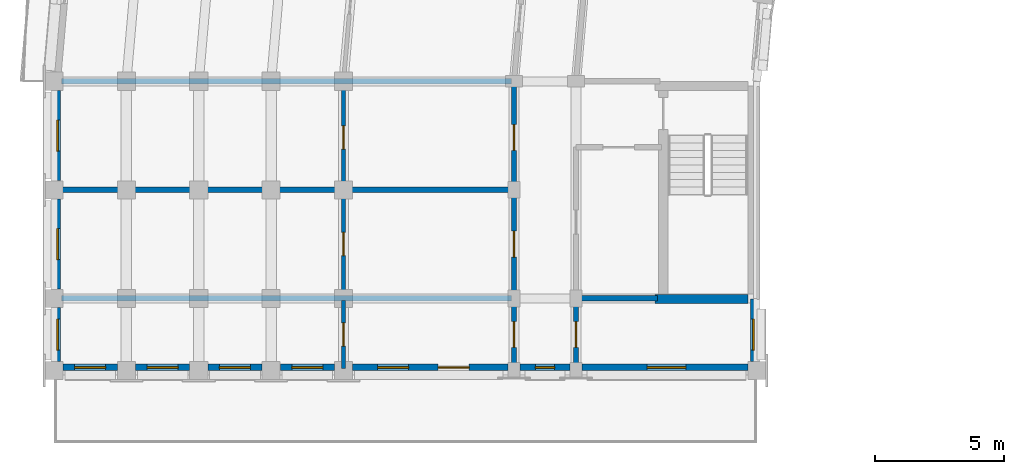
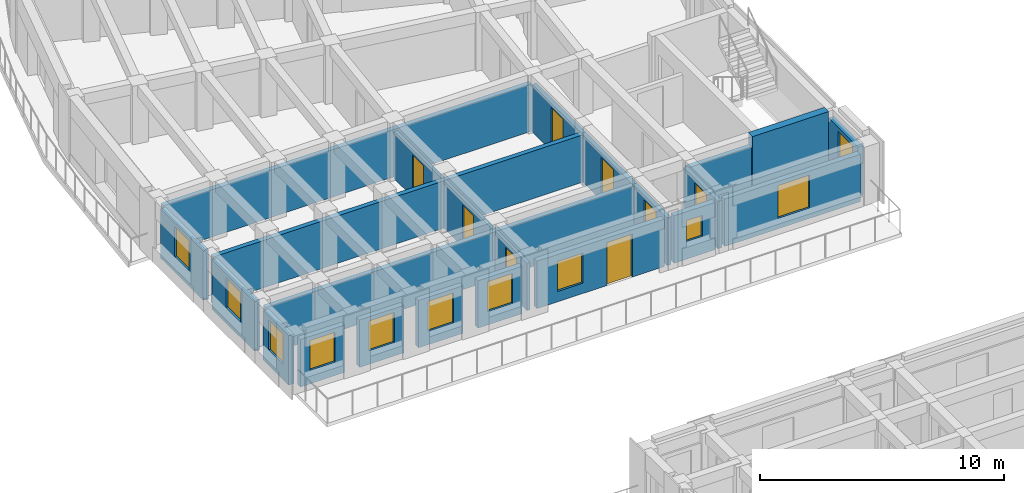
# One storey, part 23 of 54: 23 walls, 11 windows, 8 doors, 19 openings.
"""IFC4 building model written with IfcOpenShell, lengths in metres."""

from ifc_helpers import new_model, si_unit, direction, frame, frame_2d, origin, place, context, subcontext, project, spatial, rectangle, extrude, material, layer, layer_set, type_object, element, fill, save


model = new_model("IFC4")

# Units and contexts
model_context = context("Model", 3, precision=1e-05, world=origin(), true_north=direction((0.0, 1.0)))
body_context = subcontext(model_context, "Body", "Model", "MODEL_VIEW")
ifc_project = project(units=[si_unit("LENGTHUNIT", "METRE"), si_unit("AREAUNIT", "SQUARE_METRE"), si_unit("VOLUMEUNIT", "CUBIC_METRE"), si_unit("PLANEANGLEUNIT", "RADIAN"), si_unit("MASSUNIT", "GRAM", prefix="KILO")], contexts=[model_context])

# Site, building, storey
site_placement = place(None, origin())
site = spatial("IfcSite", under=ifc_project, at=site_placement, CompositionType="ELEMENT")
building_placement = place(site_placement, origin())
building = spatial("IfcBuilding", under=site, at=building_placement, Name="Kiranvali Square Residences", CompositionType="ELEMENT")
storey_placement = place(building_placement, frame((0.0, 0.0, 27.60009765625)))
storey = spatial("IfcBuildingStorey", under=building, at=storey_placement, Name="L08", CompositionType="ELEMENT", Elevation=27.60009765625)

# Wall, opening, door
ifc_material_1 = material(Name="Autoclaved aerated concrete blockwork masonry", Category="masonry")
ifc_layer_1 = layer(ifc_material_1, 0.199951171875)
ifc_layer_set_1 = layer_set([ifc_layer_1], Name="Autoclaved aerated concrete blockwork masonry")
wall_type_1 = type_object("IfcWallType", Name="WL-COR-200", PredefinedType="STANDARD", material=ifc_layer_set_1)
wall_1_placement = place(storey_placement, frame((20.0, 87.64990234375, 0.0), z_axis=(0.0, 0.0, 1.0), x_axis=(0.0, -1.0, 0.0)))
wall_1 = element("IfcWall", 1, at=wall_1_placement, inside=storey, type_object=wall_type_1, Name="L08 architectural wall WL-L08-A-A2CF-C0", PredefinedType="STANDARD", context=body_context, shape_type="SweptSolid", body=[
    extrude(rectangle(XDim=4.0498046875, YDim=0.199951171875, at=frame_2d((2.02490234375, 0.0))), origin(), (0.0, 0.0, 1.0), 2.371826171875),
])
opening_1_placement = place(wall_1_placement, frame((1.52490234375, 0.0, 0.0)))
opening_1 = element("IfcOpeningElement", 2, at=opening_1_placement, cuts=wall_1, Name="Opening FD-APT-60", PredefinedType="OPENING", context=body_context, shape_type="SweptSolid", body=[
    extrude(rectangle(XDim=1.0, YDim=2.14990234375, at=frame_2d((0.5, 1.074951171875))), frame((0.0, 0.10986328125, 0.0), z_axis=(0.0, -1.0, 0.0), x_axis=(1.0, 0.0, 0.0)), (0.0, 0.0, 1.0), 0.219970703125),
])
ifc_material_2 = material(Name="Fire-rated acoustic hardwood and mineral-core door assembly", Category="wood")
door_type_1 = type_object("IfcDoorType", Name="DR-APT-1000", OperationType="NOTDEFINED", PredefinedType="DOOR", material=ifc_material_2)
door_1_placement = place(opening_1_placement, origin())
door_1 = element("IfcDoor", 3, at=door_1_placement, inside=storey, type_object=door_type_1, Name="L08 door DR-L08-0561 (DR-APT-1000)", OperationType="SINGLE_SWING_LEFT", OverallHeight=2.14990234375, OverallWidth=1.0, PredefinedType="DOOR", context=body_context, shape_type="SweptSolid", body=[
    extrude(rectangle(XDim=1.0, YDim=2.14990234375, at=frame_2d((0.5, 1.074951171875))), frame((0.0, 0.02490234375, 0.0), z_axis=(0.0, -1.0, 0.0), x_axis=(1.0, 0.0, 0.0)), (0.0, 0.0, 1.0), 0.050048828125),
])
fill(opening_1, door_1)

wall_2_placement = place(storey_placement, frame((20.0, 83.60009765625, 0.0), z_axis=(0.0, 0.0, 1.0), x_axis=(0.0, -1.0, 0.0)))
wall_2 = element("IfcWall", 4, at=wall_2_placement, inside=storey, type_object=wall_type_1, Name="L08 architectural wall WL-L08-A-A2CF-C1", PredefinedType="STANDARD", context=body_context, shape_type="SweptSolid", body=[
    extrude(rectangle(XDim=4.2001953125, YDim=0.199951171875, at=frame_2d((2.10009765625, 0.0))), origin(), (0.0, 0.0, 1.0), 2.371826171875),
])
opening_2_placement = place(wall_2_placement, frame((1.60009765625, 0.0, 0.0)))
opening_2 = element("IfcOpeningElement", 5, at=opening_2_placement, cuts=wall_2, Name="Opening FD-APT-60", PredefinedType="OPENING", context=body_context, shape_type="SweptSolid", body=[
    extrude(rectangle(XDim=1.0, YDim=2.14990234375, at=frame_2d((0.5, 1.074951171875))), frame((0.0, 0.10986328125, 0.0), z_axis=(0.0, -1.0, 0.0), x_axis=(1.0, 0.0, 0.0)), (0.0, 0.0, 1.0), 0.219970703125),
])
door_2_placement = place(opening_2_placement, origin())
door_2 = element("IfcDoor", 6, at=door_2_placement, inside=storey, type_object=door_type_1, Name="L08 door DR-L08-0563 (DR-APT-1000)", OperationType="SINGLE_SWING_LEFT", OverallHeight=2.14990234375, OverallWidth=1.0, PredefinedType="DOOR", context=body_context, shape_type="SweptSolid", body=[
    extrude(rectangle(XDim=1.0, YDim=2.14990234375, at=frame_2d((0.5, 1.074951171875))), frame((0.0, 0.02490234375, 0.0), z_axis=(0.0, -1.0, 0.0), x_axis=(1.0, 0.0, 0.0)), (0.0, 0.0, 1.0), 0.050048828125),
])
fill(opening_2, door_2)

wall_3_placement = place(storey_placement, frame((22.39990234375, 79.39990234375, 0.0), z_axis=(0.0, 0.0, 1.0), x_axis=(0.0, -1.0, 0.0)))
wall_3 = element("IfcWall", 7, at=wall_3_placement, inside=storey, type_object=wall_type_1, Name="L08 architectural wall WL-L08-A-A2CI-0", PredefinedType="STANDARD", context=body_context, shape_type="SweptSolid", body=[
    extrude(rectangle(XDim=2.7998046875, YDim=0.199951171875, at=frame_2d((1.39990234375, 0.0))), origin(), (0.0, 0.0, 1.0), 2.371826171875),
])
opening_3_placement = place(wall_3_placement, frame((0.89990234375, 0.0, 0.0)))
opening_3 = element("IfcOpeningElement", 8, at=opening_3_placement, cuts=wall_3, Name="Opening FD-APT-60", PredefinedType="OPENING", context=body_context, shape_type="SweptSolid", body=[
    extrude(rectangle(XDim=1.0, YDim=2.14990234375, at=frame_2d((0.5, 1.074951171875))), frame((0.0, 0.10986328125, 0.0), z_axis=(0.0, -1.0, 0.0), x_axis=(1.0, 0.0, 0.0)), (0.0, 0.0, 1.0), 0.219970703125),
])
door_3_placement = place(opening_3_placement, origin())
door_3 = element("IfcDoor", 9, at=door_3_placement, inside=storey, type_object=door_type_1, Name="L08 door DR-L08-0565 (DR-APT-1000)", OperationType="SINGLE_SWING_LEFT", OverallHeight=2.14990234375, OverallWidth=1.0, PredefinedType="DOOR", context=body_context, shape_type="SweptSolid", body=[
    extrude(rectangle(XDim=1.0, YDim=2.14990234375, at=frame_2d((0.5, 1.074951171875))), frame((0.0, 0.02490234375, 0.0), z_axis=(0.0, -1.0, 0.0), x_axis=(1.0, 0.0, 0.0)), (0.0, 0.0, 1.0), 0.050048828125),
])
fill(opening_3, door_3)

wall_4_placement = place(storey_placement, frame((20.0, 79.39990234375, 0.0), z_axis=(0.0, 0.0, 1.0), x_axis=(0.0, -1.0, 0.0)))
wall_4 = element("IfcWall", 10, at=wall_4_placement, inside=storey, type_object=wall_type_1, Name="L08 architectural wall WL-L08-A-A2CO-0", PredefinedType="STANDARD", context=body_context, shape_type="SweptSolid", body=[
    extrude(rectangle(XDim=2.7998046875, YDim=0.199951171875, at=frame_2d((1.39990234375, 0.0))), origin(), (0.0, 0.0, 1.0), 2.371826171875),
])
opening_4_placement = place(wall_4_placement, frame((0.89990234375, 0.0, 0.0)))
opening_4 = element("IfcOpeningElement", 11, at=opening_4_placement, cuts=wall_4, Name="Opening FD-APT-60", PredefinedType="OPENING", context=body_context, shape_type="SweptSolid", body=[
    extrude(rectangle(XDim=1.0, YDim=2.14990234375, at=frame_2d((0.5, 1.074951171875))), frame((0.0, 0.10986328125, 0.0), z_axis=(0.0, -1.0, 0.0), x_axis=(1.0, 0.0, 0.0)), (0.0, 0.0, 1.0), 0.219970703125),
])
door_4_placement = place(opening_4_placement, origin())
door_4 = element("IfcDoor", 12, at=door_4_placement, inside=storey, type_object=door_type_1, Name="L08 door DR-L08-0567 (DR-APT-1000)", OperationType="SINGLE_SWING_LEFT", OverallHeight=2.14990234375, OverallWidth=1.0, PredefinedType="DOOR", context=body_context, shape_type="SweptSolid", body=[
    extrude(rectangle(XDim=1.0, YDim=2.14990234375, at=frame_2d((0.5, 1.074951171875))), frame((0.0, 0.02490234375, 0.0), z_axis=(0.0, -1.0, 0.0), x_axis=(1.0, 0.0, 0.0)), (0.0, 0.0, 1.0), 0.050048828125),
])
fill(opening_4, door_4)

# Walls
ifc_layer_2 = layer(ifc_material_1, 0.219970703125)
ifc_layer_set_2 = layer_set([ifc_layer_2], Name="Autoclaved aerated concrete blockwork masonry")
wall_type_2 = type_object("IfcWallType", Name="WL-DEM-220", PredefinedType="STANDARD", material=ifc_layer_set_2)
wall_5_placement = place(storey_placement, frame((19.89990234375, 87.800048828125, 0.0), z_axis=(0.0, 0.0, 1.0), x_axis=(-1.0, 0.0, 0.0)))
element("IfcWall", 13, at=wall_5_placement, inside=storey, type_object=wall_type_2, Name="L08 architectural wall WL-L08-A-RADO-9", PredefinedType="STANDARD", context=body_context, shape_type="SweptSolid", body=[
    extrude(rectangle(XDim=17.419921875, YDim=0.219970703125, at=frame_2d((8.7099609375, 0.0))), origin(), (0.0, 0.0, 1.0), 2.371826171875),
])
wall_6_placement = place(storey_placement, frame((19.949951171875, 83.60009765625, 0.0), z_axis=(0.0, 0.0, 1.0), x_axis=(-1.0, 0.0, 0.0)))
element("IfcWall", 14, at=wall_6_placement, inside=storey, type_object=wall_type_2, Name="L08 architectural wall WL-L08-A-A2CF-MID", PredefinedType="STANDARD", context=body_context, shape_type="SweptSolid", body=[
    extrude(rectangle(XDim=17.530029296875, YDim=0.219970703125, at=frame_2d((8.76513671875, 0.0))), origin(), (0.0, 0.0, 1.0), 2.371826171875),
])
wall_7_placement = place(storey_placement, frame((25.550048828125, 79.39990234375, 0.0), z_axis=(0.0, 0.0, 1.0), x_axis=(-1.0, 0.0, 0.0)))
element("IfcWall", 15, at=wall_7_placement, inside=storey, type_object=wall_type_2, Name="L08 architectural wall WL-L08-A-A2TI-0", PredefinedType="STANDARD", context=body_context, shape_type="SweptSolid", body=[
    extrude(rectangle(XDim=3.10009765625, YDim=0.219970703125, at=frame_2d((1.550048828125, 0.0))), origin(), (0.0, 0.0, 1.0), 2.371826171875),
])
wall_8_placement = place(storey_placement, frame((19.89990234375, 79.39990234375, 0.0), z_axis=(0.0, 0.0, 1.0), x_axis=(-1.0, 0.0, 0.0)))
element("IfcWall", 16, at=wall_8_placement, inside=storey, type_object=wall_type_2, Name="L08 architectural wall WL-L08-A-A2TO-0", PredefinedType="STANDARD", context=body_context, shape_type="SweptSolid", body=[
    extrude(rectangle(XDim=17.419921875, YDim=0.219970703125, at=frame_2d((8.7099609375, 0.0))), origin(), (0.0, 0.0, 1.0), 2.371826171875),
])

# Wall, opening, window
ifc_material_3 = material(Name="Breathable lime-rendered clay brick masonry", Category="masonry")
ifc_layer_3 = layer(ifc_material_3, 0.25)
ifc_layer_set_3 = layer_set([ifc_layer_3], Name="Breathable lime-rendered clay brick masonry")
wall_type_3 = type_object("IfcWallType", Name="WL-EXT-250", PredefinedType="STANDARD", material=ifc_layer_set_3)
wall_9_placement = place(storey_placement, frame((2.324951171875, 87.446533203125, 0.0), z_axis=(0.0, 0.0, 1.0), x_axis=(0.0, -1.0, 0.0)))
wall_9 = element("IfcWall", 17, at=wall_9_placement, inside=storey, type_object=wall_type_3, Name="L08 exterior wall A-L08-A2O-0", PredefinedType="STANDARD", context=body_context, shape_type="SweptSolid", body=[
    extrude(rectangle(XDim=3.492919921875, YDim=0.25, at=frame_2d((1.74658203125, 0.0))), origin(), (0.0, 0.0, 1.0), 2.471923828125),
])
opening_5_placement = place(wall_9_placement, frame((1.146484375, 0.0, 0.77197265625)))
opening_5 = element("IfcOpeningElement", 18, at=opening_5_placement, cuts=wall_9, Name="Opening W-06", PredefinedType="OPENING", context=body_context, shape_type="SweptSolid", body=[
    extrude(rectangle(XDim=1.199951171875, YDim=1.5, at=frame_2d((0.60009765625, 0.75))), frame((0.0, 0.135009765625, 0.0), z_axis=(0.0, -1.0, 0.0), x_axis=(1.0, 0.0, 0.0)), (0.0, 0.0, 1.0), 0.27001953125),
])
ifc_material_4 = material(Name="Solar-control low-e double glazing", Category="glass")
window_type_1 = type_object("IfcWindowType", Name="WIN-RES-1200x1500", PartitioningType="SINGLE_PANEL", PredefinedType="WINDOW", material=ifc_material_4)
window_1_placement = place(opening_5_placement, origin())
window_1 = element("IfcWindow", 19, at=window_1_placement, inside=storey, type_object=window_type_1, Name="L08 recessed window A-L08-A2O-0", OverallHeight=1.5, OverallWidth=1.199951171875, PartitioningType="SINGLE_PANEL", PredefinedType="WINDOW", context=body_context, shape_type="SweptSolid", body=[
    extrude(rectangle(XDim=1.199951171875, YDim=1.5, at=frame_2d((0.60009765625, 0.75))), frame((0.0, 0.030029296875, 0.0), z_axis=(0.0, -1.0, 0.0), x_axis=(1.0, 0.0, 0.0)), (0.0, 0.0, 1.0), 0.06005859375),
])
fill(opening_5, window_1)

wall_10_placement = place(storey_placement, frame((2.324951171875, 83.24658203125, 0.0), z_axis=(0.0, 0.0, 1.0), x_axis=(0.0, -1.0, 0.0)))
wall_10 = element("IfcWall", 20, at=wall_10_placement, inside=storey, type_object=wall_type_3, Name="L08 exterior wall A-L08-A2O-1", PredefinedType="STANDARD", context=body_context, shape_type="SweptSolid", body=[
    extrude(rectangle(XDim=3.4931640625, YDim=0.25, at=frame_2d((1.74658203125, 0.0))), origin(), (0.0, 0.0, 1.0), 2.471923828125),
])
opening_6_placement = place(wall_10_placement, frame((1.146484375, 0.0, 0.77197265625)))
opening_6 = element("IfcOpeningElement", 21, at=opening_6_placement, cuts=wall_10, Name="Opening W-06", PredefinedType="OPENING", context=body_context, shape_type="SweptSolid", body=[
    extrude(rectangle(XDim=1.199951171875, YDim=1.5, at=frame_2d((0.60009765625, 0.75))), frame((0.0, 0.135009765625, 0.0), z_axis=(0.0, -1.0, 0.0), x_axis=(1.0, 0.0, 0.0)), (0.0, 0.0, 1.0), 0.27001953125),
])
window_2_placement = place(opening_6_placement, origin())
window_2 = element("IfcWindow", 22, at=window_2_placement, inside=storey, type_object=window_type_1, Name="L08 recessed window A-L08-A2O-1", OverallHeight=1.5, OverallWidth=1.199951171875, PartitioningType="SINGLE_PANEL", PredefinedType="WINDOW", context=body_context, shape_type="SweptSolid", body=[
    extrude(rectangle(XDim=1.199951171875, YDim=1.5, at=frame_2d((0.60009765625, 0.75))), frame((0.0, 0.030029296875, 0.0), z_axis=(0.0, -1.0, 0.0), x_axis=(1.0, 0.0, 0.0)), (0.0, 0.0, 1.0), 0.06005859375),
])
fill(opening_6, window_2)

wall_11_placement = place(storey_placement, frame((2.324951171875, 79.04638671875, 0.0), z_axis=(0.0, 0.0, 1.0), x_axis=(0.0, -1.0, 0.0)))
wall_11 = element("IfcWall", 23, at=wall_11_placement, inside=storey, type_object=wall_type_3, Name="L08 exterior wall A-L08-A2O-2", PredefinedType="STANDARD", context=body_context, shape_type="SweptSolid", body=[
    extrude(rectangle(XDim=2.0927734375, YDim=0.25, at=frame_2d((1.04638671875, 0.0))), origin(), (0.0, 0.0, 1.0), 2.471923828125),
])
opening_7_placement = place(wall_11_placement, frame((0.446533203125, 0.0, 0.77197265625)))
opening_7 = element("IfcOpeningElement", 24, at=opening_7_placement, cuts=wall_11, Name="Opening W-06", PredefinedType="OPENING", context=body_context, shape_type="SweptSolid", body=[
    extrude(rectangle(XDim=1.199951171875, YDim=1.5, at=frame_2d((0.60009765625, 0.75))), frame((0.0, 0.135009765625, 0.0), z_axis=(0.0, -1.0, 0.0), x_axis=(1.0, 0.0, 0.0)), (0.0, 0.0, 1.0), 0.27001953125),
])
window_3_placement = place(opening_7_placement, origin())
window_3 = element("IfcWindow", 25, at=window_3_placement, inside=storey, type_object=window_type_1, Name="L08 recessed window A-L08-A2O-2", OverallHeight=1.5, OverallWidth=1.199951171875, PartitioningType="SINGLE_PANEL", PredefinedType="WINDOW", context=body_context, shape_type="SweptSolid", body=[
    extrude(rectangle(XDim=1.199951171875, YDim=1.5, at=frame_2d((0.60009765625, 0.75))), frame((0.0, 0.030029296875, 0.0), z_axis=(0.0, -1.0, 0.0), x_axis=(1.0, 0.0, 0.0)), (0.0, 0.0, 1.0), 0.06005859375),
])
fill(opening_7, window_3)

wall_12_placement = place(storey_placement, frame((29.27490234375, 79.37158203125, 0.0), z_axis=(0.0, 0.0, 1.0), x_axis=(0.0, -1.0, 0.0)))
wall_12 = element("IfcWall", 26, at=wall_12_placement, inside=storey, type_object=wall_type_3, Name="L08 exterior wall A-L08-A2I-0", PredefinedType="STANDARD", context=body_context, shape_type="SweptSolid", body=[
    extrude(rectangle(XDim=2.41796875, YDim=0.25, at=frame_2d((1.208984375, 0.0))), origin(), (0.0, 0.0, 1.0), 2.471923828125),
])
opening_8_placement = place(wall_12_placement, frame((0.771484375, 0.0, 0.77197265625)))
opening_8 = element("IfcOpeningElement", 27, at=opening_8_placement, cuts=wall_12, Name="Opening W-06", PredefinedType="OPENING", context=body_context, shape_type="SweptSolid", body=[
    extrude(rectangle(XDim=1.199951171875, YDim=1.5, at=frame_2d((0.60009765625, 0.75))), frame((0.0, 0.135009765625, 0.0), z_axis=(0.0, -1.0, 0.0), x_axis=(1.0, 0.0, 0.0)), (0.0, 0.0, 1.0), 0.27001953125),
])
window_4_placement = place(opening_8_placement, origin())
window_4 = element("IfcWindow", 28, at=window_4_placement, inside=storey, type_object=window_type_1, Name="L08 recessed window A-L08-A2I-0", OverallHeight=1.5, OverallWidth=1.199951171875, PartitioningType="SINGLE_PANEL", PredefinedType="WINDOW", context=body_context, shape_type="SweptSolid", body=[
    extrude(rectangle(XDim=1.199951171875, YDim=1.5, at=frame_2d((0.60009765625, 0.75))), frame((0.0, 0.030029296875, 0.0), z_axis=(0.0, -1.0, 0.0), x_axis=(1.0, 0.0, 0.0)), (0.0, 0.0, 1.0), 0.06005859375),
])
fill(opening_8, window_4)

wall_13_placement = place(storey_placement, frame((29.04638671875, 76.72509765625, 0.0), z_axis=(0.0, 0.0, 1.0), x_axis=(-1.0, 0.0, 0.0)))
wall_13 = element("IfcWall", 29, at=wall_13_placement, inside=storey, type_object=wall_type_3, Name="L08 exterior wall A-L08-A2END-0", PredefinedType="STANDARD", context=body_context, shape_type="SweptSolid", body=[
    extrude(rectangle(XDim=6.41796875, YDim=0.25, at=frame_2d((3.208984375, 0.0))), origin(), (0.0, 0.0, 1.0), 2.371826171875),
])
opening_9_placement = place(wall_13_placement, frame((2.396484375, 0.0, 0.52197265625)))
opening_9 = element("IfcOpeningElement", 30, at=opening_9_placement, cuts=wall_13, Name="Opening W-05", PredefinedType="OPENING", context=body_context, shape_type="SweptSolid", body=[
    extrude(rectangle(XDim=1.5, YDim=1.64990234375, at=frame_2d((0.75, 0.824951171875))), frame((0.0, 0.135009765625, 0.0), z_axis=(0.0, -1.0, 0.0), x_axis=(1.0, 0.0, 0.0)), (0.0, 0.0, 1.0), 0.27001953125),
])
window_type_2 = type_object("IfcWindowType", Name="WIN-RES-1500x1650", PartitioningType="DOUBLE_PANEL_VERTICAL", PredefinedType="WINDOW", material=ifc_material_4)
window_5_placement = place(opening_9_placement, origin())
window_5 = element("IfcWindow", 31, at=window_5_placement, inside=storey, type_object=window_type_2, Name="L08 recessed window A-L08-A2END-0", OverallHeight=1.64990234375, OverallWidth=1.5, PartitioningType="DOUBLE_PANEL_VERTICAL", PredefinedType="WINDOW", context=body_context, shape_type="SweptSolid", body=[
    extrude(rectangle(XDim=1.5, YDim=1.64990234375, at=frame_2d((0.75, 0.824951171875))), frame((0.0, 0.030029296875, 0.0), z_axis=(0.0, -1.0, 0.0), x_axis=(1.0, 0.0, 0.0)), (0.0, 0.0, 1.0), 0.06005859375),
])
fill(opening_9, window_5)

wall_14_placement = place(storey_placement, frame((22.17138671875, 76.72509765625, 0.0), z_axis=(0.0, 0.0, 1.0), x_axis=(-1.0, 0.0, 0.0)))
wall_14 = element("IfcWall", 32, at=wall_14_placement, inside=storey, type_object=wall_type_3, Name="L08 exterior wall A-L08-A2END-1", PredefinedType="STANDARD", context=body_context, shape_type="SweptSolid", body=[
    extrude(rectangle(XDim=1.94287109375, YDim=0.25, at=frame_2d((0.971435546875, 0.0))), origin(), (0.0, 0.0, 1.0), 2.371826171875),
])
opening_10_placement = place(wall_14_placement, frame((0.596435546875, 0.0, 0.8798828125)))
opening_10 = element("IfcOpeningElement", 33, at=opening_10_placement, cuts=wall_14, Name="Opening W-07", PredefinedType="OPENING", context=body_context, shape_type="SweptSolid", body=[
    extrude(rectangle(XDim=0.75, YDim=1.050048828125, at=frame_2d((0.375, 0.52490234375))), frame((0.0, 0.135009765625, 0.0), z_axis=(0.0, -1.0, 0.0), x_axis=(1.0, 0.0, 0.0)), (0.0, 0.0, 1.0), 0.27001953125),
])
window_type_3 = type_object("IfcWindowType", Name="WIN-WET-750x1050", PartitioningType="SINGLE_PANEL", PredefinedType="WINDOW", material=ifc_material_4)
window_6_placement = place(opening_10_placement, origin())
window_6 = element("IfcWindow", 34, at=window_6_placement, inside=storey, type_object=window_type_3, Name="L08 recessed window A-L08-A2END-1", OverallHeight=1.050048828125, OverallWidth=0.75, PartitioningType="SINGLE_PANEL", PredefinedType="WINDOW", context=body_context, shape_type="SweptSolid", body=[
    extrude(rectangle(XDim=0.75, YDim=1.050048828125, at=frame_2d((0.375, 0.52490234375))), frame((0.0, 0.030029296875, 0.0), z_axis=(0.0, -1.0, 0.0), x_axis=(1.0, 0.0, 0.0)), (0.0, 0.0, 1.0), 0.06005859375),
])
fill(opening_10, window_6)

# Wall, openings, door, window
wall_15_placement = place(storey_placement, frame((19.771484375, 76.72509765625, 0.0), z_axis=(0.0, 0.0, 1.0), x_axis=(-1.0, 0.0, 0.0)))
wall_15 = element("IfcWall", 35, at=wall_15_placement, inside=storey, type_object=wall_type_3, Name="L08 exterior wall A-L08-A2END-2", PredefinedType="STANDARD", context=body_context, shape_type="SweptSolid", body=[
    extrude(rectangle(XDim=6.01806640625, YDim=0.25, at=frame_2d((3.009033203125, 0.0))), origin(), (0.0, 0.0, 1.0), 2.371826171875),
])
opening_11_placement = place(wall_15_placement, frame((3.85400390625, 0.0, 0.52197265625)))
opening_11 = element("IfcOpeningElement", 36, at=opening_11_placement, cuts=wall_15, Name="Opening W-06", PredefinedType="OPENING", context=body_context, shape_type="SweptSolid", body=[
    extrude(rectangle(XDim=1.199951171875, YDim=1.5, at=frame_2d((0.60009765625, 0.75))), frame((0.0, 0.135009765625, 0.0), z_axis=(0.0, -1.0, 0.0), x_axis=(1.0, 0.0, 0.0)), (0.0, 0.0, 1.0), 0.27001953125),
])
opening_12_placement = place(wall_15_placement, frame((1.50634765625, 0.0, 0.0)))
opening_12 = element("IfcOpeningElement", 37, at=opening_12_placement, cuts=wall_15, Name="Opening ED-BAL-1", PredefinedType="OPENING", context=body_context, shape_type="SweptSolid", body=[
    extrude(rectangle(XDim=1.199951171875, YDim=2.14990234375, at=frame_2d((0.60009765625, 1.074951171875))), frame((0.0, 0.135009765625, 0.0), z_axis=(0.0, -1.0, 0.0), x_axis=(1.0, 0.0, 0.0)), (0.0, 0.0, 1.0), 0.27001953125),
])
ifc_material_5 = material(Name="Anodised bronze aluminium framing", Category="aluminium")
door_type_2 = type_object("IfcDoorType", Name="DR-BAL-1200", OperationType="NOTDEFINED", PredefinedType="DOOR", material=ifc_material_5)
door_5_placement = place(opening_12_placement, origin())
door_5 = element("IfcDoor", 38, at=door_5_placement, inside=storey, type_object=door_type_2, Name="L08 balcony terrace door", OperationType="SINGLE_SWING_RIGHT", OverallHeight=2.14990234375, OverallWidth=1.199951171875, PredefinedType="DOOR", context=body_context, shape_type="SweptSolid", body=[
    extrude(rectangle(XDim=1.199951171875, YDim=2.14990234375, at=frame_2d((0.60009765625, 1.074951171875))), frame((0.0, 0.02490234375, 0.0), z_axis=(0.0, -1.0, 0.0), x_axis=(1.0, 0.0, 0.0)), (0.0, 0.0, 1.0), 0.050048828125),
])
fill(opening_12, door_5)
window_7_placement = place(opening_11_placement, origin())
window_7 = element("IfcWindow", 39, at=window_7_placement, inside=storey, type_object=window_type_1, Name="L08 recessed window A-L08-A2END-2", OverallHeight=1.5, OverallWidth=1.199951171875, PartitioningType="SINGLE_PANEL", PredefinedType="WINDOW", context=body_context, shape_type="SweptSolid", body=[
    extrude(rectangle(XDim=1.199951171875, YDim=1.5, at=frame_2d((0.60009765625, 0.75))), frame((0.0, 0.030029296875, 0.0), z_axis=(0.0, -1.0, 0.0), x_axis=(1.0, 0.0, 0.0)), (0.0, 0.0, 1.0), 0.06005859375),
])
fill(opening_11, window_7)

# Wall, opening, window
wall_16_placement = place(storey_placement, frame((13.04638671875, 76.72509765625, 0.0), z_axis=(0.0, 0.0, 1.0), x_axis=(-1.0, 0.0, 0.0)))
wall_16 = element("IfcWall", 40, at=wall_16_placement, inside=storey, type_object=wall_type_3, Name="L08 exterior wall A-L08-A2END-3", PredefinedType="STANDARD", context=body_context, shape_type="SweptSolid", body=[
    extrude(rectangle(XDim=2.0927734375, YDim=0.25, at=frame_2d((1.04638671875, 0.0))), origin(), (0.0, 0.0, 1.0), 2.371826171875),
])
opening_13_placement = place(wall_16_placement, frame((0.446533203125, 0.0, 0.672119140625)))
opening_13 = element("IfcOpeningElement", 41, at=opening_13_placement, cuts=wall_16, Name="Opening W-06", PredefinedType="OPENING", context=body_context, shape_type="SweptSolid", body=[
    extrude(rectangle(XDim=1.199951171875, YDim=1.5, at=frame_2d((0.60009765625, 0.75))), frame((0.0, 0.135009765625, 0.0), z_axis=(0.0, -1.0, 0.0), x_axis=(1.0, 0.0, 0.0)), (0.0, 0.0, 1.0), 0.27001953125),
])
window_8_placement = place(opening_13_placement, origin())
window_8 = element("IfcWindow", 42, at=window_8_placement, inside=storey, type_object=window_type_1, Name="L08 recessed window A-L08-A2END-3", OverallHeight=1.5, OverallWidth=1.199951171875, PartitioningType="SINGLE_PANEL", PredefinedType="WINDOW", context=body_context, shape_type="SweptSolid", body=[
    extrude(rectangle(XDim=1.199951171875, YDim=1.5, at=frame_2d((0.60009765625, 0.75))), frame((0.0, 0.030029296875, 0.0), z_axis=(0.0, -1.0, 0.0), x_axis=(1.0, 0.0, 0.0)), (0.0, 0.0, 1.0), 0.06005859375),
])
fill(opening_13, window_8)

wall_17_placement = place(storey_placement, frame((10.24658203125, 76.72509765625, 0.0), z_axis=(0.0, 0.0, 1.0), x_axis=(-1.0, 0.0, 0.0)))
wall_17 = element("IfcWall", 43, at=wall_17_placement, inside=storey, type_object=wall_type_3, Name="L08 exterior wall A-L08-A2END-4", PredefinedType="STANDARD", context=body_context, shape_type="SweptSolid", body=[
    extrude(rectangle(XDim=2.093017578125, YDim=0.25, at=frame_2d((1.04638671875, 0.0))), origin(), (0.0, 0.0, 1.0), 2.371826171875),
])
opening_14_placement = place(wall_17_placement, frame((0.446533203125, 0.0, 0.672119140625)))
opening_14 = element("IfcOpeningElement", 44, at=opening_14_placement, cuts=wall_17, Name="Opening W-06", PredefinedType="OPENING", context=body_context, shape_type="SweptSolid", body=[
    extrude(rectangle(XDim=1.199951171875, YDim=1.5, at=frame_2d((0.60009765625, 0.75))), frame((0.0, 0.135009765625, 0.0), z_axis=(0.0, -1.0, 0.0), x_axis=(1.0, 0.0, 0.0)), (0.0, 0.0, 1.0), 0.27001953125),
])
window_9_placement = place(opening_14_placement, origin())
window_9 = element("IfcWindow", 45, at=window_9_placement, inside=storey, type_object=window_type_1, Name="L08 recessed window A-L08-A2END-4", OverallHeight=1.5, OverallWidth=1.199951171875, PartitioningType="SINGLE_PANEL", PredefinedType="WINDOW", context=body_context, shape_type="SweptSolid", body=[
    extrude(rectangle(XDim=1.199951171875, YDim=1.5, at=frame_2d((0.60009765625, 0.75))), frame((0.0, 0.030029296875, 0.0), z_axis=(0.0, -1.0, 0.0), x_axis=(1.0, 0.0, 0.0)), (0.0, 0.0, 1.0), 0.06005859375),
])
fill(opening_14, window_9)

wall_18_placement = place(storey_placement, frame((7.446533203125, 76.72509765625, 0.0), z_axis=(0.0, 0.0, 1.0), x_axis=(-1.0, 0.0, 0.0)))
wall_18 = element("IfcWall", 46, at=wall_18_placement, inside=storey, type_object=wall_type_3, Name="L08 exterior wall A-L08-A2END-5", PredefinedType="STANDARD", context=body_context, shape_type="SweptSolid", body=[
    extrude(rectangle(XDim=2.093017578125, YDim=0.25, at=frame_2d((1.04638671875, 0.0))), origin(), (0.0, 0.0, 1.0), 2.371826171875),
])
opening_15_placement = place(wall_18_placement, frame((0.446533203125, 0.0, 0.672119140625)))
opening_15 = element("IfcOpeningElement", 47, at=opening_15_placement, cuts=wall_18, Name="Opening W-06", PredefinedType="OPENING", context=body_context, shape_type="SweptSolid", body=[
    extrude(rectangle(XDim=1.199951171875, YDim=1.5, at=frame_2d((0.60009765625, 0.75))), frame((0.0, 0.135009765625, 0.0), z_axis=(0.0, -1.0, 0.0), x_axis=(1.0, 0.0, 0.0)), (0.0, 0.0, 1.0), 0.27001953125),
])
window_10_placement = place(opening_15_placement, origin())
window_10 = element("IfcWindow", 48, at=window_10_placement, inside=storey, type_object=window_type_1, Name="L08 recessed window A-L08-A2END-5", OverallHeight=1.5, OverallWidth=1.199951171875, PartitioningType="SINGLE_PANEL", PredefinedType="WINDOW", context=body_context, shape_type="SweptSolid", body=[
    extrude(rectangle(XDim=1.199951171875, YDim=1.5, at=frame_2d((0.60009765625, 0.75))), frame((0.0, 0.030029296875, 0.0), z_axis=(0.0, -1.0, 0.0), x_axis=(1.0, 0.0, 0.0)), (0.0, 0.0, 1.0), 0.06005859375),
])
fill(opening_15, window_10)

wall_19_placement = place(storey_placement, frame((4.646484375, 76.72509765625, 0.0), z_axis=(0.0, 0.0, 1.0), x_axis=(-1.0, 0.0, 0.0)))
wall_19 = element("IfcWall", 49, at=wall_19_placement, inside=storey, type_object=wall_type_3, Name="L08 exterior wall A-L08-A2END-6", PredefinedType="STANDARD", context=body_context, shape_type="SweptSolid", body=[
    extrude(rectangle(XDim=2.093017578125, YDim=0.25, at=frame_2d((1.04638671875, 0.0))), origin(), (0.0, 0.0, 1.0), 2.371826171875),
])
opening_16_placement = place(wall_19_placement, frame((0.446533203125, 0.0, 0.672119140625)))
opening_16 = element("IfcOpeningElement", 50, at=opening_16_placement, cuts=wall_19, Name="Opening W-06", PredefinedType="OPENING", context=body_context, shape_type="SweptSolid", body=[
    extrude(rectangle(XDim=1.199951171875, YDim=1.5, at=frame_2d((0.60009765625, 0.75))), frame((0.0, 0.135009765625, 0.0), z_axis=(0.0, -1.0, 0.0), x_axis=(1.0, 0.0, 0.0)), (0.0, 0.0, 1.0), 0.27001953125),
])
window_11_placement = place(opening_16_placement, origin())
window_11 = element("IfcWindow", 51, at=window_11_placement, inside=storey, type_object=window_type_1, Name="L08 recessed window A-L08-A2END-6", OverallHeight=1.5, OverallWidth=1.199951171875, PartitioningType="SINGLE_PANEL", PredefinedType="WINDOW", context=body_context, shape_type="SweptSolid", body=[
    extrude(rectangle(XDim=1.199951171875, YDim=1.5, at=frame_2d((0.60009765625, 0.75))), frame((0.0, 0.030029296875, 0.0), z_axis=(0.0, -1.0, 0.0), x_axis=(1.0, 0.0, 0.0)), (0.0, 0.0, 1.0), 0.06005859375),
])
fill(opening_16, window_11)

# Wall, opening, door
ifc_material_6 = material(Name="Acoustic gypsum board drylined partition", Category="gypsum")
ifc_layer_4 = layer(ifc_material_6, 0.14990234375)
ifc_layer_set_4 = layer_set([ifc_layer_4], Name="Acoustic gypsum board drylined partition")
wall_type_4 = type_object("IfcWallType", Name="WL-PRT-150", PredefinedType="PARTITIONING", material=ifc_layer_set_4)
wall_20_placement = place(storey_placement, frame((13.39990234375, 87.570068359375, 0.0), z_axis=(0.0, 0.0, 1.0), x_axis=(0.0, -1.0, 0.0)))
wall_20 = element("IfcWall", 52, at=wall_20_placement, inside=storey, type_object=wall_type_4, Name="L08 architectural wall WL-L08-A-A2CF-SP0", PredefinedType="PARTITIONING", context=body_context, shape_type="SweptSolid", body=[
    extrude(rectangle(XDim=3.89013671875, YDim=0.14990234375, at=frame_2d((1.945068359375, 0.0))), origin(), (0.0, 0.0, 1.0), 2.371826171875),
])
opening_17_placement = place(wall_20_placement, frame((1.4951171875, 0.0, 0.0)))
opening_17 = element("IfcOpeningElement", 53, at=opening_17_placement, cuts=wall_20, Name="Opening ID-1", PredefinedType="OPENING", context=body_context, shape_type="SweptSolid", body=[
    extrude(rectangle(XDim=0.89990234375, YDim=2.10009765625, at=frame_2d((0.449951171875, 1.050048828125))), frame((0.0, 0.0849609375, 0.0), z_axis=(0.0, -1.0, 0.0), x_axis=(1.0, 0.0, 0.0)), (0.0, 0.0, 1.0), 0.169921875),
])
ifc_material_7 = material(Name="Solid seasoned teak hardwood joinery", Category="wood")
door_type_3 = type_object("IfcDoorType", Name="DR-INT-900", OperationType="NOTDEFINED", PredefinedType="DOOR", material=ifc_material_7)
door_6_placement = place(opening_17_placement, frame((0.89990234375, 0.0, 0.0), z_axis=(0.0, 0.0, 1.0), x_axis=(-1.0, 0.0, 0.0)))
door_6 = element("IfcDoor", 54, at=door_6_placement, inside=storey, type_object=door_type_3, Name="L08 door DR-L08-0562 (DR-INT-900)", OperationType="SINGLE_SWING_RIGHT", OverallHeight=2.10009765625, OverallWidth=0.89990234375, PredefinedType="DOOR", context=body_context, shape_type="SweptSolid", body=[
    extrude(rectangle(XDim=0.89990234375, YDim=2.10009765625, at=frame_2d((0.449951171875, 1.050048828125))), frame((0.0, 0.02490234375, 0.0), z_axis=(0.0, -1.0, 0.0), x_axis=(1.0, 0.0, 0.0)), (0.0, 0.0, 1.0), 0.050048828125),
])
fill(opening_17, door_6)

wall_21_placement = place(storey_placement, frame((13.39990234375, 83.52001953125, 0.0), z_axis=(0.0, 0.0, 1.0), x_axis=(0.0, -1.0, 0.0)))
wall_21 = element("IfcWall", 55, at=wall_21_placement, inside=storey, type_object=wall_type_4, Name="L08 architectural wall WL-L08-A-A2CF-SP1", PredefinedType="PARTITIONING", context=body_context, shape_type="SweptSolid", body=[
    extrude(rectangle(XDim=4.0400390625, YDim=0.14990234375, at=frame_2d((2.02001953125, 0.0))), origin(), (0.0, 0.0, 1.0), 2.371826171875),
])
opening_18_placement = place(wall_21_placement, frame((1.570068359375, 0.0, 0.0)))
opening_18 = element("IfcOpeningElement", 56, at=opening_18_placement, cuts=wall_21, Name="Opening ID-1", PredefinedType="OPENING", context=body_context, shape_type="SweptSolid", body=[
    extrude(rectangle(XDim=0.89990234375, YDim=2.10009765625, at=frame_2d((0.449951171875, 1.050048828125))), frame((0.0, 0.0849609375, 0.0), z_axis=(0.0, -1.0, 0.0), x_axis=(1.0, 0.0, 0.0)), (0.0, 0.0, 1.0), 0.169921875),
])
door_7_placement = place(opening_18_placement, frame((0.89990234375, 0.0, 0.0), z_axis=(0.0, 0.0, 1.0), x_axis=(-1.0, 0.0, 0.0)))
door_7 = element("IfcDoor", 57, at=door_7_placement, inside=storey, type_object=door_type_3, Name="L08 door DR-L08-0564 (DR-INT-900)", OperationType="SINGLE_SWING_RIGHT", OverallHeight=2.10009765625, OverallWidth=0.89990234375, PredefinedType="DOOR", context=body_context, shape_type="SweptSolid", body=[
    extrude(rectangle(XDim=0.89990234375, YDim=2.10009765625, at=frame_2d((0.449951171875, 1.050048828125))), frame((0.0, 0.02490234375, 0.0), z_axis=(0.0, -1.0, 0.0), x_axis=(1.0, 0.0, 0.0)), (0.0, 0.0, 1.0), 0.050048828125),
])
fill(opening_18, door_7)

# Wall
ifc_material_8 = material(Name="Concrete M45 (45 MPa)", Category="concrete")
ifc_layer_5 = layer(ifc_material_8, 0.320068359375)
ifc_layer_set_5 = layer_set([ifc_layer_5], Name="Concrete M45 (45 MPa)")
wall_type_5 = type_object("IfcWallType", Name="WL-SHR-320", PredefinedType="SHEAR", material=ifc_layer_set_5)
wall_22_placement = place(storey_placement, frame((29.050048828125, 79.375, 0.0), z_axis=(0.0, 0.0, 1.0), x_axis=(-1.0, 0.0, 0.0)))
element("IfcWall", 58, at=wall_22_placement, inside=storey, type_object=wall_type_5, Name="Block A core shear wall SW-A3-FAR-L08", PredefinedType="SHEAR", context=body_context, shape_type="SweptSolid", body=[
    extrude(rectangle(XDim=3.60009765625, YDim=0.35009765625, at=frame_2d((1.800048828125, 0.0))), origin(), (0.0, 0.0, 1.0), 2.929931640625),
])

# Wall, opening, door
ifc_layer_6 = layer(ifc_material_1, 0.14990234375)
ifc_layer_set_6 = layer_set([ifc_layer_6], Name="Autoclaved aerated concrete blockwork masonry")
wall_type_6 = type_object("IfcWallType", Name="WL-WET-150", PredefinedType="PLUMBINGWALL", material=ifc_layer_set_6)
wall_23_placement = place(storey_placement, frame((13.39990234375, 79.320068359375, 0.0), z_axis=(0.0, 0.0, 1.0), x_axis=(0.0, -1.0, 0.0)))
wall_23 = element("IfcWall", 59, at=wall_23_placement, inside=storey, type_object=wall_type_6, Name="L08 architectural wall WL-L08-A-A2SP-0", PredefinedType="PLUMBINGWALL", context=body_context, shape_type="SweptSolid", body=[
    extrude(rectangle(XDim=2.64013671875, YDim=0.14990234375, at=frame_2d((1.320068359375, 0.0))), origin(), (0.0, 0.0, 1.0), 2.371826171875),
])
opening_19_placement = place(wall_23_placement, frame((0.8701171875, 0.0, 0.0)))
opening_19 = element("IfcOpeningElement", 60, at=opening_19_placement, cuts=wall_23, Name="Opening ID-1", PredefinedType="OPENING", context=body_context, shape_type="SweptSolid", body=[
    extrude(rectangle(XDim=0.89990234375, YDim=2.10009765625, at=frame_2d((0.449951171875, 1.050048828125))), frame((0.0, 0.0849609375, 0.0), z_axis=(0.0, -1.0, 0.0), x_axis=(1.0, 0.0, 0.0)), (0.0, 0.0, 1.0), 0.169921875),
])
door_8_placement = place(opening_19_placement, frame((0.89990234375, 0.0, 0.0), z_axis=(0.0, 0.0, 1.0), x_axis=(-1.0, 0.0, 0.0)))
door_8 = element("IfcDoor", 61, at=door_8_placement, inside=storey, type_object=door_type_3, Name="L08 door DR-L08-0566 (DR-INT-900)", OperationType="SINGLE_SWING_RIGHT", OverallHeight=2.10009765625, OverallWidth=0.89990234375, PredefinedType="DOOR", context=body_context, shape_type="SweptSolid", body=[
    extrude(rectangle(XDim=0.89990234375, YDim=2.10009765625, at=frame_2d((0.449951171875, 1.050048828125))), frame((0.0, 0.02490234375, 0.0), z_axis=(0.0, -1.0, 0.0), x_axis=(1.0, 0.0, 0.0)), (0.0, 0.0, 1.0), 0.050048828125),
])
fill(opening_19, door_8)

save(model, "model.ifc")
